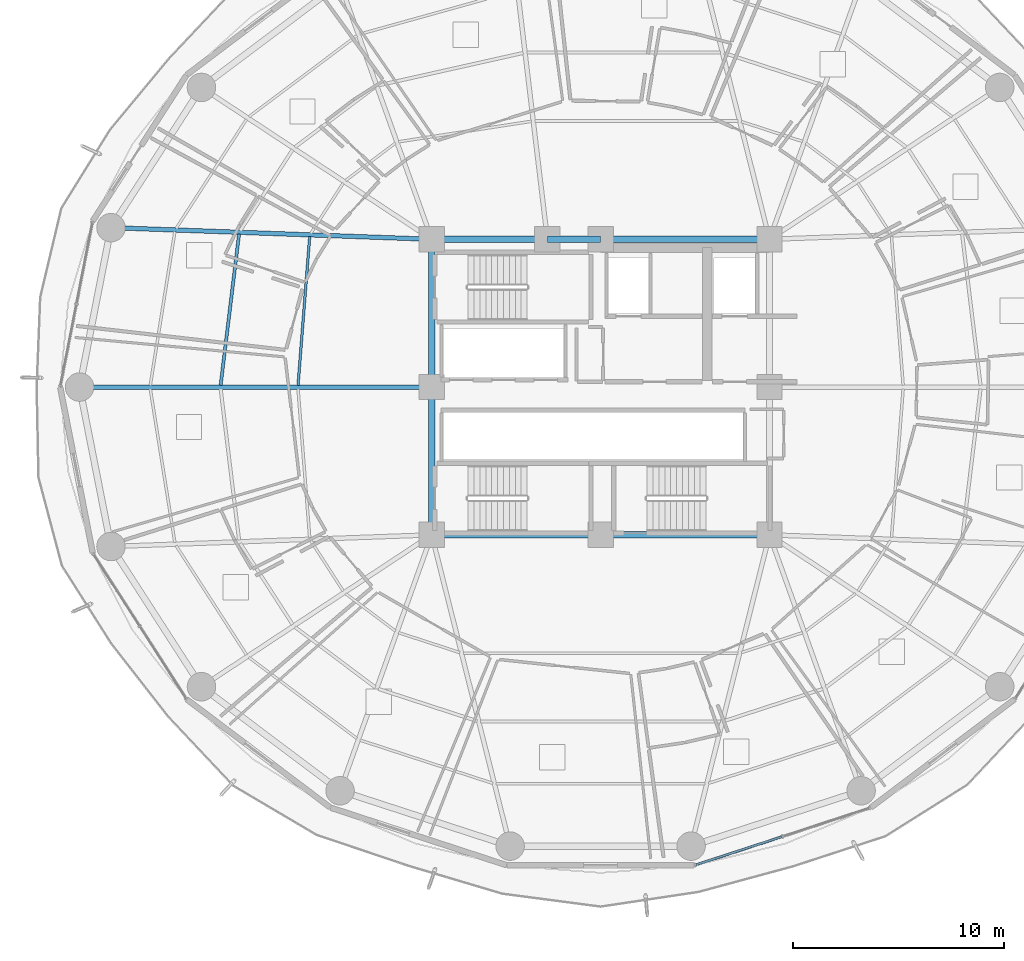
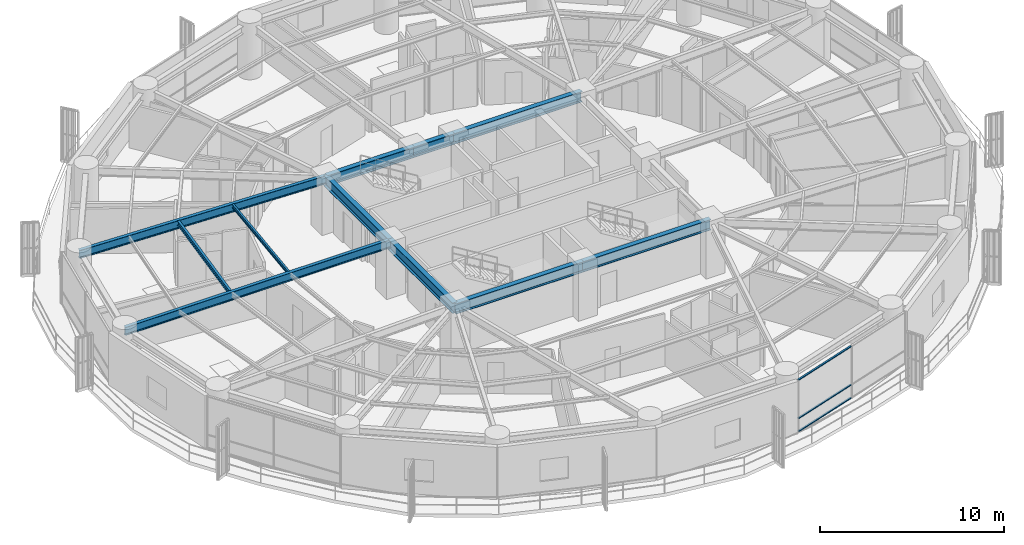
# One storey, part 9 of 37: 11 beams, 3 members, 1 element without a shape of its own.
"""IFC4 building model written with IfcOpenShell, lengths in metres."""

import ifcopenshell
import ifcopenshell.guid

model = None  # the IFC model being written
_history = None  # IfcOwnerHistory: only IFC2X3 demands one
_inside = {}  # id of a spatial element -> (the spatial element, [elements in it])
_under = {}  # id of a project, library or spatial element -> (it, [spatial elements below it])
_declared = {}  # id of a project -> (the project, [libraries it declares])
_typed = {}  # id of a type object -> (the type object, [elements of that type])
_made_of = {}  # id of a material, layer set ... -> (it, [elements and type objects made of it])


def new_model(schema):
    """Start an empty IFC model of exactly this schema.

    Asked for "IFC4X3", IfcOpenShell would pick the latest addendum, in which some entities
    have other attributes; the version numbers below select the first issue.
    IFC2X3 requires an IfcOwnerHistory on every rooted entity: one is made here for all.
    """
    global model, _history
    if schema == "IFC4X3":
        model = ifcopenshell.file(schema_version=(4, 3, 0, 0))
    else:
        model = ifcopenshell.file(schema=schema)
    _inside.clear()
    _under.clear()
    _declared.clear()
    _typed.clear()
    _made_of.clear()
    _history = None
    if model.schema == "IFC2X3":
        org = make("IfcOrganization", Name="unknown")
        user = make(
            "IfcPersonAndOrganization",
            ThePerson=make("IfcPerson", FamilyName="unknown"),
            TheOrganization=org,
        )
        app = make(
            "IfcApplication",
            ApplicationDeveloper=org,
            Version="unknown",
            ApplicationFullName="unknown",
            ApplicationIdentifier="unknown",
        )
        _history = make(
            "IfcOwnerHistory",
            OwningUser=user,
            OwningApplication=app,
            ChangeAction="ADDED",
            CreationDate=0,
        )
    return model


def make(cls, **values):
    """One entity of the class cls with the attributes given. An attribute that is None is left unset."""
    return model.create_entity(
        cls, **{name: value for name, value in values.items() if value is not None}
    )


def rooted(cls, **values):
    """An entity with a GlobalId (a new one), such as an element, a storey or a relation."""
    return make(cls, GlobalId=ifcopenshell.guid.new(), OwnerHistory=_history, **values)


def si_unit(unit_type, name, prefix=None):
    """IfcSIUnit, for example si_unit("LENGTHUNIT", "METRE", prefix="MILLI")."""
    return make("IfcSIUnit", UnitType=unit_type, Prefix=prefix, Name=name)


def assignment(units):
    """IfcUnitAssignment: the units of a project."""
    return None if units is None else make("IfcUnitAssignment", Units=units)


def point(xyz):
    """IfcCartesianPoint."""
    return None if xyz is None else make("IfcCartesianPoint", Coordinates=xyz)


def direction(xyz):
    """IfcDirection."""
    return None if xyz is None else make("IfcDirection", DirectionRatios=xyz)


def frame(location, z_axis=None, x_axis=None):
    """IfcAxis2Placement3D, a coordinate frame: its origin and axes. An axis left out is left unset."""
    return make(
        "IfcAxis2Placement3D",
        Location=point(location),
        Axis=direction(z_axis),
        RefDirection=direction(x_axis),
    )


def frame_2d(location, x_axis=None):
    """IfcAxis2Placement2D, a coordinate frame in the plane: its origin and x axis."""
    return make(
        "IfcAxis2Placement2D", Location=point(location), RefDirection=direction(x_axis)
    )


def origin():
    """The frame at (0, 0, 0) with its axes left unset."""
    return frame((0.0, 0.0, 0.0))


def origin_2d():
    """The frame at (0, 0) in the plane with its x axis left unset."""
    return frame_2d((0.0, 0.0))


def place(relative_to, where):
    """IfcLocalPlacement: puts the frame where relative to a parent placement (None: the world)."""
    return make(
        "IfcLocalPlacement", PlacementRelTo=relative_to, RelativePlacement=where
    )


def context(
    kind, dimensions, precision=None, world=None, true_north=None, identifier=None
):
    """IfcGeometricRepresentationContext, for example the 3D "Model" context."""
    return make(
        "IfcGeometricRepresentationContext",
        ContextIdentifier=identifier,
        ContextType=kind,
        CoordinateSpaceDimension=dimensions,
        Precision=precision,
        WorldCoordinateSystem=world,
        TrueNorth=true_north,
    )


def subcontext(parent, identifier, kind, view, scale=None):
    """IfcGeometricRepresentationSubContext, for example "Body" below "Model"."""
    return make(
        "IfcGeometricRepresentationSubContext",
        ContextIdentifier=identifier,
        ContextType=kind,
        ParentContext=parent,
        TargetScale=scale,
        TargetView=view,
    )


def project(units=None, contexts=None):
    """IfcProject with its units and contexts."""
    return rooted(
        "IfcProject",
        Name="project",
        RepresentationContexts=contexts,
        UnitsInContext=assignment(units),
    )


def spatial(cls, under=None, at=None, **own):
    """A site, building, storey or space (cls), placed at a placement, below another one or the project."""
    s = rooted(cls, ObjectPlacement=at, **own)
    if under is not None:
        _under.setdefault(under.id(), (under, []))[1].append(s)
    return s


def profile(cls, at=None, kind="AREA", **sizes):
    """A parametric profile (cls). Its sizes go by their IFC names, for example OverallWidth=200.0."""
    return make(cls, ProfileType=kind, Position=at, **sizes)


def hollow_rectangle(**sizes):
    """IfcRectangleHollowProfileDef."""
    return profile("IfcRectangleHollowProfileDef", **sizes)


def i_section(**sizes):
    """IfcIShapeProfileDef."""
    return profile("IfcIShapeProfileDef", **sizes)


def extrude(swept, where, along, depth):
    """IfcExtrudedAreaSolid: the profile swept, set in the frame where, extruded along a direction by depth."""
    return make(
        "IfcExtrudedAreaSolid",
        SweptArea=swept,
        Position=where,
        ExtrudedDirection=direction(along),
        Depth=depth,
    )


def shape(context_of_items, identifier, shape_type, items):
    """IfcShapeRepresentation: the items that make up one representation, for example the "Body"."""
    return make(
        "IfcShapeRepresentation",
        ContextOfItems=context_of_items,
        RepresentationIdentifier=identifier,
        RepresentationType=shape_type,
        Items=items,
    )


def material(Name=None, Category=None):
    """IfcMaterial."""
    return make("IfcMaterial", Name=Name, Category=Category)


def layer(
    of_material, thickness, ventilated=None, Name=None, Category=None, Priority=None
):
    """IfcMaterialLayer: one layer of a wall or slab, of a material (None: an air gap)."""
    return make(
        "IfcMaterialLayer",
        Material=of_material,
        LayerThickness=thickness,
        IsVentilated=ventilated,
        Name=Name,
        Category=Category,
        Priority=Priority,
    )


def layer_set(layers, Name=None):
    """IfcMaterialLayerSet."""
    return make("IfcMaterialLayerSet", MaterialLayers=layers, LayerSetName=Name)


def material_profile(
    of_material, cross_section, Name=None, Category=None, Priority=None
):
    """IfcMaterialProfile: a cross section and its material."""
    return make(
        "IfcMaterialProfile",
        Name=Name,
        Material=of_material,
        Profile=cross_section,
        Priority=Priority,
        Category=Category,
    )


def profile_set(profiles, Name=None, composite=None):
    """IfcMaterialProfileSet."""
    return make(
        "IfcMaterialProfileSet",
        Name=Name,
        MaterialProfiles=profiles,
        CompositeProfile=composite,
    )


def made_of(thing, what):
    """Note that an element or type object is made of a material, layer set ...; save() writes the relation."""
    if what is not None:
        _made_of.setdefault(what.id(), (what, []))[1].append(thing)
    return thing


def type_object(cls, material=None, **own):
    """A type object (cls), such as IfcWallType, which elements share."""
    return made_of(rooted(cls, **own), material)


def element(
    cls,
    number,
    at=None,
    inside=None,
    cuts=None,
    type_object=None,
    material=None,
    context=None,
    identifier="Body",
    shape_type=None,
    held_by="IfcProductDefinitionShape",
    body=None,
    shapes=None,
    **own,
):
    """One element of the class cls, such as IfcWall. Its Tag is "e" and its number.

    at: its placement. inside: the storey or other place that contains it. cuts: it is an
    opening in that element (IfcRelVoidsElement). A single representation is given by context,
    identifier, shape_type and body (its items); several are given by shapes. held_by: the class
    of the entity that holds the representations. save() writes the other relations.
    """
    e = rooted(cls, Tag="e%d" % number, ObjectPlacement=at, **own)
    if body is not None:
        shapes = [shape(context, identifier, shape_type, body)]
    if shapes is not None:
        e.Representation = make(held_by, Representations=shapes)
    if inside is not None:
        _inside.setdefault(inside.id(), (inside, []))[1].append(e)
    if cuts is not None:
        rooted(
            "IfcRelVoidsElement", RelatingBuildingElement=cuts, RelatedOpeningElement=e
        )
    if type_object is not None:
        _typed.setdefault(type_object.id(), (type_object, []))[1].append(e)
    return made_of(e, material)


def aggregate(whole, parts):
    """IfcRelAggregates: a whole, such as a stair, and the parts it consists of."""
    return rooted("IfcRelAggregates", RelatingObject=whole, RelatedObjects=parts)


def save(model, path):
    """Write the relations noted so far, then the file.

    IfcRelAggregates (storeys below a building ...), IfcRelContainedInSpatialStructure (elements
    in a storey), IfcRelDefinesByType, IfcRelAssociatesMaterial and IfcRelDeclares: one each for
    every whole, place, type object, material and project.
    """
    for whole, parts in _under.values():
        aggregate(whole, parts)
    for where, things in _inside.values():
        rooted(
            "IfcRelContainedInSpatialStructure",
            RelatedElements=things,
            RelatingStructure=where,
        )
    for kind, things in _typed.values():
        rooted("IfcRelDefinesByType", RelatedObjects=things, RelatingType=kind)
    for what, things in _made_of.values():
        rooted("IfcRelAssociatesMaterial", RelatedObjects=things, RelatingMaterial=what)
    for by, libraries in _declared.values():
        rooted("IfcRelDeclares", RelatingContext=by, RelatedDefinitions=libraries)
    model.write(path)


model = new_model("IFC4")

# Units and contexts
model_context = context("Model", 3, precision=1e-05, world=origin(), true_north=direction((0.0, 1.0)))
body_context = subcontext(model_context, "Body", "Model", "MODEL_VIEW")
ifc_project = project(units=[si_unit("LENGTHUNIT", "METRE"), si_unit("AREAUNIT", "SQUARE_METRE"), si_unit("VOLUMEUNIT", "CUBIC_METRE"), si_unit("PLANEANGLEUNIT", "RADIAN"), si_unit("MASSUNIT", "GRAM", prefix="KILO")], contexts=[model_context])

# Site, building, storey
site_placement = place(None, origin())
site = spatial("IfcSite", under=ifc_project, at=site_placement, CompositionType="ELEMENT")
building_placement = place(site_placement, origin())
building = spatial("IfcBuilding", under=site, at=building_placement, Name="Kelanora Arch Commons", CompositionType="ELEMENT")
storey_placement = place(building_placement, frame((0.0, 0.0, 113.85009765625)))
storey = spatial("IfcBuildingStorey", under=building, at=storey_placement, Name="L29", CompositionType="ELEMENT", Elevation=113.85009765625)

# Beams
ifc_material_1 = material(Name="Steel S355", Category="steel")
ifc_material_profile_1 = material_profile(ifc_material_1, i_section(OverallWidth=0.300048828125, OverallDepth=0.699951171875, WebThickness=0.01708984375, FlangeThickness=0.031982421875, FilletRadius=0.027099609375, at=origin_2d()), Name="HEB700")
ifc_profile_set_1 = profile_set([ifc_material_profile_1], Name="Steel S355")
beam_type_1 = type_object("IfcBeamType", Name="BM-CORE-HDR", PredefinedType="BEAM", material=ifc_profile_set_1)
for number, where, z_axis, x_axis, name in (
    (1, (66.0, 51.0, 3.139892578125), (1.0, 0.0, 0.0), (0.0, 1.0, 0.0), "Core Header Beam 01 L29"),
    (2, (74.0, 51.0, 3.139892578125), (1.0, 0.0, 0.0), (0.0, 1.0, 0.0), "Core Header Beam 02 L29"),
    (3, (82.0, 65.0, 3.139892578125), (-1.0, 0.0, 0.0), (0.0, -1.0, 0.0), "Core Header Beam 05 L29"),
):
    element("IfcBeam", number, at=place(storey_placement, frame(where, z_axis=z_axis, x_axis=x_axis)), inside=storey, type_object=beam_type_1, Name=name, PredefinedType="BEAM", context=body_context, shape_type="SweptSolid", body=[
        extrude(i_section(OverallWidth=0.300048828125, OverallDepth=0.699951171875, WebThickness=0.01708984375, FlangeThickness=0.031982421875, FilletRadius=0.027099609375, at=origin_2d()), origin(), (0.0, 0.0, 1.0), 8.0),
    ])
beam_1_placement = place(storey_placement, frame((74.0, 65.0, 3.139892578125), z_axis=(-1.0, 0.0, 0.0), x_axis=(0.0, -1.0, 0.0)))
element("IfcBeam", 4, at=beam_1_placement, inside=storey, type_object=beam_type_1, Name="Core Header Beam 06 L29", PredefinedType="BEAM", context=body_context, shape_type="SweptSolid", body=[
    extrude(i_section(OverallWidth=0.300048828125, OverallDepth=0.699951171875, WebThickness=0.01708984375, FlangeThickness=0.031982421875, FilletRadius=0.027099609375, at=origin_2d()), origin(), (0.0, 0.0, 1.0), 2.52001953125),
])
beam_2_placement = place(storey_placement, frame((71.47998046875, 65.0, 3.139892578125), z_axis=(-1.0, 0.0, 0.0), x_axis=(0.0, -1.0, 0.0)))
element("IfcBeam", 5, at=beam_2_placement, inside=storey, type_object=beam_type_1, Name="Core Header Beam 07 L29", PredefinedType="BEAM", context=body_context, shape_type="SweptSolid", body=[
    extrude(i_section(OverallWidth=0.300048828125, OverallDepth=0.699951171875, WebThickness=0.01708984375, FlangeThickness=0.031982421875, FilletRadius=0.027099609375, at=origin_2d()), origin(), (0.0, 0.0, 1.0), 5.47998046875),
])
for number, where, z_axis, x_axis, name in (
    (6, (66.0, 65.0, 3.139892578125), (0.0, -1.0, 0.0), (1.0, 0.0, 0.0), "Core Header Beam 08 L29"),
    (7, (66.0, 58.0, 3.139892578125), (0.0, -1.0, 0.0), (1.0, 0.0, 0.0), "Core Header Beam 09 L29"),
):
    element("IfcBeam", number, at=place(storey_placement, frame(where, z_axis=z_axis, x_axis=x_axis)), inside=storey, type_object=beam_type_1, Name=name, PredefinedType="BEAM", context=body_context, shape_type="SweptSolid", body=[
        extrude(i_section(OverallWidth=0.300048828125, OverallDepth=0.699951171875, WebThickness=0.01708984375, FlangeThickness=0.031982421875, FilletRadius=0.027099609375, at=origin_2d()), origin(), (0.0, 0.0, 1.0), 7.0),
    ])
ifc_material_profile_2 = material_profile(ifc_material_1, i_section(OverallWidth=0.14990234375, OverallDepth=0.300048828125, WebThickness=0.007080078125, FlangeThickness=0.0107421875, FilletRadius=0.014892578125, at=origin_2d()), Name="IPE300")
ifc_profile_set_2 = profile_set([ifc_material_profile_2], Name="Steel S355")
beam_type_2 = type_object("IfcBeamType", Name="BM-JST-01", PredefinedType="JOIST", material=ifc_profile_set_2)
beam_3_placement = place(storey_placement, frame((56.874755859375, 65.24658203125, 3.33984375), z_axis=(-0.120935645266, -0.992660349618, 0.0), x_axis=(0.992660349618, -0.120935645266, 0.0)))
element("IfcBeam", 8, at=beam_3_placement, inside=storey, type_object=beam_type_2, Name="Secondary Chord Joist BJB-16 L29", PredefinedType="JOIST", context=body_context, shape_type="SweptSolid", body=[
    extrude(i_section(OverallWidth=0.14990234375, OverallDepth=0.300048828125, WebThickness=0.007080078125, FlangeThickness=0.0107421875, FilletRadius=0.014892578125, at=origin_2d()), origin(), (0.0, 0.0, 1.0), 7.215087890625),
])
ifc_material_profile_3 = material_profile(ifc_material_1, i_section(OverallWidth=0.1201171875, OverallDepth=0.239990234375, WebThickness=0.006103515625, FlangeThickness=0.009765625, FilletRadius=0.014892578125, at=origin_2d()), Name="IPE240")
ifc_profile_set_3 = profile_set([ifc_material_profile_3], Name="Steel S355")
beam_type_3 = type_object("IfcBeamType", Name="BM-JST-02", PredefinedType="JOIST", material=ifc_profile_set_3)
beam_4_placement = place(storey_placement, frame((60.220458984375, 65.125, 3.369873046875), z_axis=(-0.078200677502, -0.996937637989, 0.0), x_axis=(0.996937637989, -0.078200677502, 0.0)))
element("IfcBeam", 9, at=beam_4_placement, inside=storey, type_object=beam_type_3, Name="Secondary Chord Joist BJA-16 L29", PredefinedType="JOIST", context=body_context, shape_type="SweptSolid", body=[
    extrude(i_section(OverallWidth=0.1201171875, OverallDepth=0.239990234375, WebThickness=0.006103515625, FlangeThickness=0.009765625, FilletRadius=0.014892578125, at=origin_2d()), origin(), (0.0, 0.0, 1.0), 7.06201171875),
])
ifc_material_profile_4 = material_profile(ifc_material_1, i_section(OverallWidth=0.2099609375, OverallDepth=0.550048828125, WebThickness=0.010986328125, FlangeThickness=0.01708984375, FilletRadius=0.02392578125, at=origin_2d()), Name="IPE550")
ifc_profile_set_4 = profile_set([ifc_material_profile_4], Name="Steel S355")
beam_type_4 = type_object("IfcBeamType", Name="BM-RAD-Z2", PredefinedType="BEAM", material=ifc_profile_set_4)
beam_5_placement = place(storey_placement, frame((66.0, 65.0, 3.21484375), z_axis=(-0.999341087625, 0.036295875581, 0.0), x_axis=(-0.036295875581, -0.999341087625, 0.0)))
element("IfcBeam", 10, at=beam_5_placement, inside=storey, type_object=beam_type_4, Name="Radial Floor Girder BR-16 L29", PredefinedType="BEAM", context=body_context, shape_type="SweptSolid", body=[
    extrude(i_section(OverallWidth=0.2099609375, OverallDepth=0.550048828125, WebThickness=0.010986328125, FlangeThickness=0.01708984375, FilletRadius=0.02392578125, at=origin_2d()), origin(), (0.0, 0.0, 1.0), 15.20166015625),
])
beam_6_placement = place(storey_placement, frame((66.0, 58.0, 3.21484375), z_axis=(-1.0, 0.0, 0.0), x_axis=(0.0, -1.0, 0.0)))
element("IfcBeam", 11, at=beam_6_placement, inside=storey, type_object=beam_type_4, Name="Radial Floor Girder BR-18 L29", PredefinedType="BEAM", context=body_context, shape_type="SweptSolid", body=[
    extrude(i_section(OverallWidth=0.2099609375, OverallDepth=0.550048828125, WebThickness=0.010986328125, FlangeThickness=0.01708984375, FilletRadius=0.02392578125, at=origin_2d()), origin(), (0.0, 0.0, 1.0), 16.679931640625),
])

# Curtain wall, members
ifc_material_2 = material(Name="Terracotta ceramic-fritted low-E glass and aluminium", Category="masonry")
ifc_layer = layer(ifc_material_2, 0.159912109375)
ifc_layer_set = layer_set([ifc_layer], Name="Terracotta ceramic-fritted low-E glass and aluminium")
curtain_wall_type = type_object("IfcCurtainWallType", Name="CW-SYS-01", PredefinedType="NOTDEFINED", material=ifc_layer_set)
curtain_wall_placement = place(storey_placement, origin())
curtain_wall = element("IfcCurtainWall", 12, at=curtain_wall_placement, inside=storey, type_object=curtain_wall_type, Name="Unitised Curtain Wall L29-B14", PredefinedType="NOTDEFINED")
ifc_material_3 = material(Name="Powder-coated aluminium terracotta", Category="masonry")
ifc_material_profile_5 = material_profile(ifc_material_3, hollow_rectangle(XDim=0.1201171875, YDim=0.06005859375, WallThickness=0.0048828125, InnerFilletRadius=0.0048828125, OuterFilletRadius=0.010009765625, at=origin_2d()), Name="CWT120x60")
ifc_profile_set_5 = profile_set([ifc_material_profile_5], Name="Powder-coated aluminium terracotta")
member_type = type_object("IfcMemberType", Name="CWT-STD", PredefinedType="USERDEFINED", material=ifc_profile_set_5)
member_1_placement = place(storey_placement, frame((78.516845703125, 35.372802734375, 0.02978515625), z_axis=(0.950477544745, 0.31079323824, 0.0), x_axis=(-0.31079323824, 0.950477544745, 0.0)))
member_1 = element("IfcMember", 13, at=member_1_placement, type_object=member_type, Name="CW-01 transom 1.1", ObjectType="TRANSOM", PredefinedType="USERDEFINED", context=body_context, shape_type="SweptSolid", body=[
    extrude(hollow_rectangle(XDim=0.1201171875, YDim=0.06005859375, WallThickness=0.0048828125, InnerFilletRadius=0.0048828125, OuterFilletRadius=0.010009765625, at=origin_2d()), origin(), (0.0, 0.0, 1.0), 4.289794921875),
])
member_2_placement = place(storey_placement, frame((78.516845703125, 35.372802734375, 0.89990234375), z_axis=(0.950477544745, 0.31079323824, 0.0), x_axis=(-0.31079323824, 0.950477544745, 0.0)))
member_2 = element("IfcMember", 14, at=member_2_placement, type_object=member_type, Name="CW-01 transom 1.2", ObjectType="TRANSOM", PredefinedType="USERDEFINED", context=body_context, shape_type="SweptSolid", body=[
    extrude(hollow_rectangle(XDim=0.1201171875, YDim=0.06005859375, WallThickness=0.0048828125, InnerFilletRadius=0.0048828125, OuterFilletRadius=0.010009765625, at=origin_2d()), origin(), (0.0, 0.0, 1.0), 4.289794921875),
])
member_3_placement = place(storey_placement, frame((78.516845703125, 35.372802734375, 3.44482421875), z_axis=(0.950477544745, 0.31079323824, 0.0), x_axis=(-0.31079323824, 0.950477544745, 0.0)))
member_3 = element("IfcMember", 15, at=member_3_placement, type_object=member_type, Name="CW-01 transom 1.3", ObjectType="TRANSOM", PredefinedType="USERDEFINED", context=body_context, shape_type="SweptSolid", body=[
    extrude(hollow_rectangle(XDim=0.1201171875, YDim=0.06005859375, WallThickness=0.0048828125, InnerFilletRadius=0.0048828125, OuterFilletRadius=0.010009765625, at=origin_2d()), origin(), (0.0, 0.0, 1.0), 4.289794921875),
])
aggregate(curtain_wall, [member_1, member_2, member_3])

save(model, "model.ifc")
